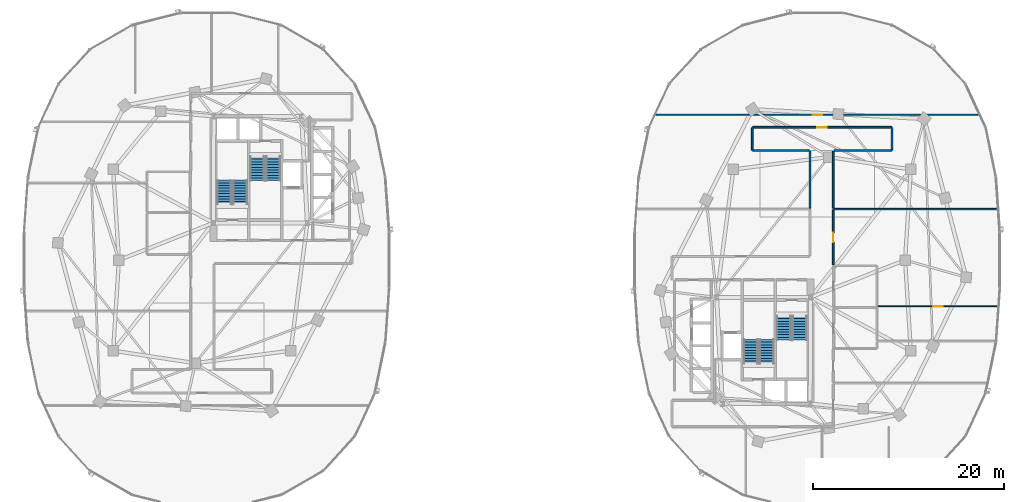
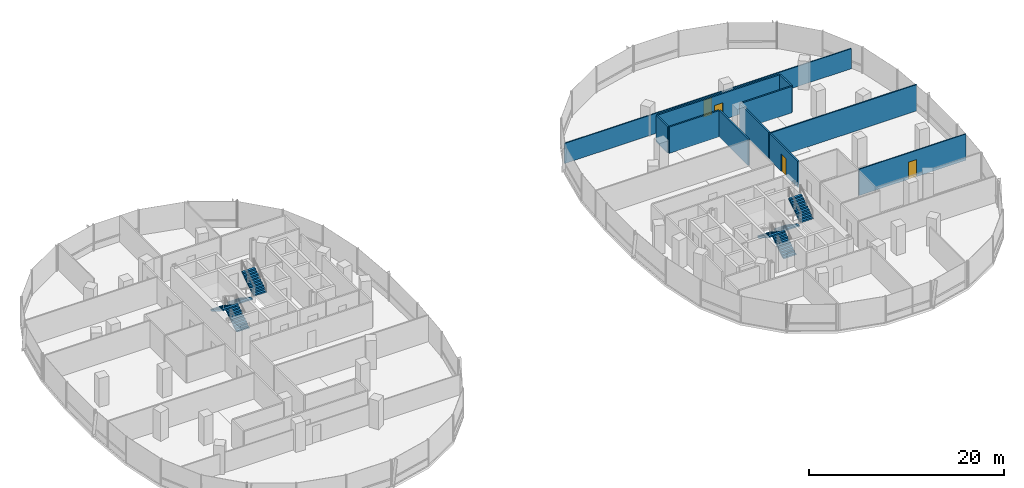
# One storey, part 14 of 21: 11 walls, 8 stair flights, 4 doors, 4 openings, 4 elements without a shape of their own.
"""IFC4 building model written with IfcOpenShell, lengths in metres."""

import ifcopenshell
import ifcopenshell.guid

model = None  # the IFC model being written
_history = None  # IfcOwnerHistory: only IFC2X3 demands one
_inside = {}  # id of a spatial element -> (the spatial element, [elements in it])
_under = {}  # id of a project, library or spatial element -> (it, [spatial elements below it])
_declared = {}  # id of a project -> (the project, [libraries it declares])
_typed = {}  # id of a type object -> (the type object, [elements of that type])
_made_of = {}  # id of a material, layer set ... -> (it, [elements and type objects made of it])


def new_model(schema):
    """Start an empty IFC model of exactly this schema.

    Asked for "IFC4X3", IfcOpenShell would pick the latest addendum, in which some entities
    have other attributes; the version numbers below select the first issue.
    IFC2X3 requires an IfcOwnerHistory on every rooted entity: one is made here for all.
    """
    global model, _history
    if schema == "IFC4X3":
        model = ifcopenshell.file(schema_version=(4, 3, 0, 0))
    else:
        model = ifcopenshell.file(schema=schema)
    _inside.clear()
    _under.clear()
    _declared.clear()
    _typed.clear()
    _made_of.clear()
    _history = None
    if model.schema == "IFC2X3":
        org = make("IfcOrganization", Name="unknown")
        user = make(
            "IfcPersonAndOrganization",
            ThePerson=make("IfcPerson", FamilyName="unknown"),
            TheOrganization=org,
        )
        app = make(
            "IfcApplication",
            ApplicationDeveloper=org,
            Version="unknown",
            ApplicationFullName="unknown",
            ApplicationIdentifier="unknown",
        )
        _history = make(
            "IfcOwnerHistory",
            OwningUser=user,
            OwningApplication=app,
            ChangeAction="ADDED",
            CreationDate=0,
        )
    return model


def make(cls, **values):
    """One entity of the class cls with the attributes given. An attribute that is None is left unset."""
    return model.create_entity(
        cls, **{name: value for name, value in values.items() if value is not None}
    )


def rooted(cls, **values):
    """An entity with a GlobalId (a new one), such as an element, a storey or a relation."""
    return make(cls, GlobalId=ifcopenshell.guid.new(), OwnerHistory=_history, **values)


def si_unit(unit_type, name, prefix=None):
    """IfcSIUnit, for example si_unit("LENGTHUNIT", "METRE", prefix="MILLI")."""
    return make("IfcSIUnit", UnitType=unit_type, Prefix=prefix, Name=name)


def assignment(units):
    """IfcUnitAssignment: the units of a project."""
    return None if units is None else make("IfcUnitAssignment", Units=units)


def point(xyz):
    """IfcCartesianPoint."""
    return None if xyz is None else make("IfcCartesianPoint", Coordinates=xyz)


def direction(xyz):
    """IfcDirection."""
    return None if xyz is None else make("IfcDirection", DirectionRatios=xyz)


def frame(location, z_axis=None, x_axis=None):
    """IfcAxis2Placement3D, a coordinate frame: its origin and axes. An axis left out is left unset."""
    return make(
        "IfcAxis2Placement3D",
        Location=point(location),
        Axis=direction(z_axis),
        RefDirection=direction(x_axis),
    )


def frame_2d(location, x_axis=None):
    """IfcAxis2Placement2D, a coordinate frame in the plane: its origin and x axis."""
    return make(
        "IfcAxis2Placement2D", Location=point(location), RefDirection=direction(x_axis)
    )


def origin():
    """The frame at (0, 0, 0) with its axes left unset."""
    return frame((0.0, 0.0, 0.0))


def place(relative_to, where):
    """IfcLocalPlacement: puts the frame where relative to a parent placement (None: the world)."""
    return make(
        "IfcLocalPlacement", PlacementRelTo=relative_to, RelativePlacement=where
    )


def context(
    kind, dimensions, precision=None, world=None, true_north=None, identifier=None
):
    """IfcGeometricRepresentationContext, for example the 3D "Model" context."""
    return make(
        "IfcGeometricRepresentationContext",
        ContextIdentifier=identifier,
        ContextType=kind,
        CoordinateSpaceDimension=dimensions,
        Precision=precision,
        WorldCoordinateSystem=world,
        TrueNorth=true_north,
    )


def subcontext(parent, identifier, kind, view, scale=None):
    """IfcGeometricRepresentationSubContext, for example "Body" below "Model"."""
    return make(
        "IfcGeometricRepresentationSubContext",
        ContextIdentifier=identifier,
        ContextType=kind,
        ParentContext=parent,
        TargetScale=scale,
        TargetView=view,
    )


def project(units=None, contexts=None):
    """IfcProject with its units and contexts."""
    return rooted(
        "IfcProject",
        Name="project",
        RepresentationContexts=contexts,
        UnitsInContext=assignment(units),
    )


def spatial(cls, under=None, at=None, **own):
    """A site, building, storey or space (cls), placed at a placement, below another one or the project."""
    s = rooted(cls, ObjectPlacement=at, **own)
    if under is not None:
        _under.setdefault(under.id(), (under, []))[1].append(s)
    return s


def polyline(points):
    """IfcPolyline through the points."""
    return make("IfcPolyline", Points=[point(p) for p in points])


def profile(cls, at=None, kind="AREA", **sizes):
    """A parametric profile (cls). Its sizes go by their IFC names, for example OverallWidth=200.0."""
    return make(cls, ProfileType=kind, Position=at, **sizes)


def rectangle(**sizes):
    """IfcRectangleProfileDef."""
    return profile("IfcRectangleProfileDef", **sizes)


def outline(outer, holes=None, kind="AREA"):
    """IfcArbitraryClosedProfileDef: a profile drawn as a closed curve; with holes, ...WithVoids."""
    if holes is None:
        return make("IfcArbitraryClosedProfileDef", ProfileType=kind, OuterCurve=outer)
    return make(
        "IfcArbitraryProfileDefWithVoids",
        ProfileType=kind,
        OuterCurve=outer,
        InnerCurves=holes,
    )


def extrude(swept, where, along, depth):
    """IfcExtrudedAreaSolid: the profile swept, set in the frame where, extruded along a direction by depth."""
    return make(
        "IfcExtrudedAreaSolid",
        SweptArea=swept,
        Position=where,
        ExtrudedDirection=direction(along),
        Depth=depth,
    )


def shape(context_of_items, identifier, shape_type, items):
    """IfcShapeRepresentation: the items that make up one representation, for example the "Body"."""
    return make(
        "IfcShapeRepresentation",
        ContextOfItems=context_of_items,
        RepresentationIdentifier=identifier,
        RepresentationType=shape_type,
        Items=items,
    )


def material(Name=None, Category=None):
    """IfcMaterial."""
    return make("IfcMaterial", Name=Name, Category=Category)


def layer(
    of_material, thickness, ventilated=None, Name=None, Category=None, Priority=None
):
    """IfcMaterialLayer: one layer of a wall or slab, of a material (None: an air gap)."""
    return make(
        "IfcMaterialLayer",
        Material=of_material,
        LayerThickness=thickness,
        IsVentilated=ventilated,
        Name=Name,
        Category=Category,
        Priority=Priority,
    )


def layer_set(layers, Name=None):
    """IfcMaterialLayerSet."""
    return make("IfcMaterialLayerSet", MaterialLayers=layers, LayerSetName=Name)


def made_of(thing, what):
    """Note that an element or type object is made of a material, layer set ...; save() writes the relation."""
    if what is not None:
        _made_of.setdefault(what.id(), (what, []))[1].append(thing)
    return thing


def type_object(cls, material=None, **own):
    """A type object (cls), such as IfcWallType, which elements share."""
    return made_of(rooted(cls, **own), material)


def element(
    cls,
    number,
    at=None,
    inside=None,
    cuts=None,
    type_object=None,
    material=None,
    context=None,
    identifier="Body",
    shape_type=None,
    held_by="IfcProductDefinitionShape",
    body=None,
    shapes=None,
    **own,
):
    """One element of the class cls, such as IfcWall. Its Tag is "e" and its number.

    at: its placement. inside: the storey or other place that contains it. cuts: it is an
    opening in that element (IfcRelVoidsElement). A single representation is given by context,
    identifier, shape_type and body (its items); several are given by shapes. held_by: the class
    of the entity that holds the representations. save() writes the other relations.
    """
    e = rooted(cls, Tag="e%d" % number, ObjectPlacement=at, **own)
    if body is not None:
        shapes = [shape(context, identifier, shape_type, body)]
    if shapes is not None:
        e.Representation = make(held_by, Representations=shapes)
    if inside is not None:
        _inside.setdefault(inside.id(), (inside, []))[1].append(e)
    if cuts is not None:
        rooted(
            "IfcRelVoidsElement", RelatingBuildingElement=cuts, RelatedOpeningElement=e
        )
    if type_object is not None:
        _typed.setdefault(type_object.id(), (type_object, []))[1].append(e)
    return made_of(e, material)


def fill(opening, filler):
    """IfcRelFillsElement: the door or window that sits in an opening."""
    return rooted(
        "IfcRelFillsElement",
        RelatingOpeningElement=opening,
        RelatedBuildingElement=filler,
    )


def aggregate(whole, parts):
    """IfcRelAggregates: a whole, such as a stair, and the parts it consists of."""
    return rooted("IfcRelAggregates", RelatingObject=whole, RelatedObjects=parts)


def save(model, path):
    """Write the relations noted so far, then the file.

    IfcRelAggregates (storeys below a building ...), IfcRelContainedInSpatialStructure (elements
    in a storey), IfcRelDefinesByType, IfcRelAssociatesMaterial and IfcRelDeclares: one each for
    every whole, place, type object, material and project.
    """
    for whole, parts in _under.values():
        aggregate(whole, parts)
    for where, things in _inside.values():
        rooted(
            "IfcRelContainedInSpatialStructure",
            RelatedElements=things,
            RelatingStructure=where,
        )
    for kind, things in _typed.values():
        rooted("IfcRelDefinesByType", RelatedObjects=things, RelatingType=kind)
    for what, things in _made_of.values():
        rooted("IfcRelAssociatesMaterial", RelatedObjects=things, RelatingMaterial=what)
    for by, libraries in _declared.values():
        rooted("IfcRelDeclares", RelatingContext=by, RelatedDefinitions=libraries)
    model.write(path)


model = new_model("IFC4")

# Units and contexts
model_context = context("Model", 3, precision=1e-05, world=origin(), true_north=direction((0.0, 1.0)))
body_context = subcontext(model_context, "Body", "Model", "MODEL_VIEW")
ifc_project = project(units=[si_unit("LENGTHUNIT", "METRE"), si_unit("AREAUNIT", "SQUARE_METRE"), si_unit("VOLUMEUNIT", "CUBIC_METRE"), si_unit("PLANEANGLEUNIT", "RADIAN"), si_unit("MASSUNIT", "GRAM", prefix="KILO"), si_unit("THERMODYNAMICTEMPERATUREUNIT", "KELVIN"), si_unit("POWERUNIT", "WATT")], contexts=[model_context])

# Site, building, storey
site_placement = place(None, origin())
site = spatial("IfcSite", under=ifc_project, at=site_placement, CompositionType="ELEMENT")
building_placement = place(site_placement, origin())
building = spatial("IfcBuilding", under=site, at=building_placement, Name="Cundina Bronze Exchange", CompositionType="ELEMENT")
storey_placement = place(building_placement, frame((0.0, 0.0, 114.199951171875)))
storey = spatial("IfcBuildingStorey", under=building, at=storey_placement, Name="L29", CompositionType="ELEMENT", Elevation=114.199951171875)

# Wall, opening, door
ifc_material_1 = material(Name="Gypsum Fireboard Partition EI120")
ifc_layer_1 = layer(ifc_material_1, 0.179931640625, Name="Gypsum Fireboard Partition EI120")
ifc_layer_set_1 = layer_set([ifc_layer_1], Name="Gypsum Fireboard Partition EI120")
wall_type_1 = type_object("IfcWallType", Name="WL-COR-180", PredefinedType="PARTITIONING", material=ifc_layer_set_1)
wall_1_placement = place(storey_placement, frame((33.669921875, -0.508544921875, 0.0), z_axis=(0.0, 0.0, 1.0), x_axis=(0.0, 1.0, 0.0)))
wall_1 = element("IfcWall", 1, at=wall_1_placement, inside=storey, type_object=wall_type_1, Name="L29 Interior Partition 070", PredefinedType="PARTITIONING", context=body_context, shape_type="SweptSolid", body=[
    extrude(rectangle(XDim=5.7685546875, YDim=0.179931640625, at=frame_2d((2.88427734375, 0.0))), origin(), (0.0, 0.0, 1.0), 3.300048828125),
])
opening_1_placement = place(wall_1_placement, frame((2.38427734375, 0.0, 0.0)))
opening_1 = element("IfcOpeningElement", 2, at=opening_1_placement, cuts=wall_1, Name="Opening DO-01", PredefinedType="OPENING", context=body_context, shape_type="SweptSolid", body=[
    extrude(rectangle(XDim=1.0, YDim=2.14990234375, at=frame_2d((0.5, 1.074951171875))), frame((0.0, 0.099853515625, 0.0), z_axis=(0.0, -1.0, 0.0), x_axis=(1.0, 0.0, 0.0)), (0.0, 0.0, 1.0), 0.199951171875),
])
ifc_material_2 = material(Name="Solid Andean Oak Timber Grade A", Category="wood")
door_type = type_object("IfcDoorType", Name="DR-OFF-1000", OperationType="NOTDEFINED", PredefinedType="DOOR", material=ifc_material_2)
door_1_placement = place(opening_1_placement, origin())
door_1 = element("IfcDoor", 3, at=door_1_placement, inside=storey, type_object=door_type, Name="L29 Interior Door 070", OperationType="SINGLE_SWING_RIGHT", OverallHeight=2.14990234375, OverallWidth=1.0, PredefinedType="DOOR", context=body_context, shape_type="SweptSolid", body=[
    extrude(rectangle(XDim=1.0, YDim=2.14990234375, at=frame_2d((0.5, 1.074951171875))), frame((0.0, 0.02490234375, 0.0), z_axis=(0.0, -1.0, 0.0), x_axis=(1.0, 0.0, 0.0)), (0.0, 0.0, 1.0), 0.050048828125),
])
fill(opening_1, door_1)

wall_2_placement = place(storey_placement, frame((39.778564453125, 13.919921875, 0.0), z_axis=(0.0, 0.0, 1.0), x_axis=(-1.0, 0.0, 0.0)))
wall_2 = element("IfcWall", 4, at=wall_2_placement, inside=storey, type_object=wall_type_1, Name="L29 Interior Partition 071", PredefinedType="PARTITIONING", context=body_context, shape_type="SweptSolid", body=[
    extrude(rectangle(XDim=14.55712890625, YDim=0.179931640625, at=frame_2d((7.278564453125, 0.0))), origin(), (0.0, 0.0, 1.0), 3.300048828125),
])
opening_2_placement = place(wall_2_placement, frame((6.778564453125, 0.0, 0.0)))
opening_2 = element("IfcOpeningElement", 5, at=opening_2_placement, cuts=wall_2, Name="Opening DO-01", PredefinedType="OPENING", context=body_context, shape_type="SweptSolid", body=[
    extrude(rectangle(XDim=1.0, YDim=2.14990234375, at=frame_2d((0.5, 1.074951171875))), frame((0.0, 0.099853515625, 0.0), z_axis=(0.0, -1.0, 0.0), x_axis=(1.0, 0.0, 0.0)), (0.0, 0.0, 1.0), 0.199951171875),
])
door_2_placement = place(opening_2_placement, origin())
door_2 = element("IfcDoor", 6, at=door_2_placement, inside=storey, type_object=door_type, Name="L29 Interior Door 071", OperationType="SINGLE_SWING_LEFT", OverallHeight=2.14990234375, OverallWidth=1.0, PredefinedType="DOOR", context=body_context, shape_type="SweptSolid", body=[
    extrude(rectangle(XDim=1.0, YDim=2.14990234375, at=frame_2d((0.5, 1.074951171875))), frame((0.0, 0.02490234375, 0.0), z_axis=(0.0, -1.0, 0.0), x_axis=(1.0, 0.0, 0.0)), (0.0, 0.0, 1.0), 0.050048828125),
])
fill(opening_2, door_2)

# Walls
wall_3_placement = place(storey_placement, frame((33.75, 11.47998046875, 0.0), z_axis=(0.0, 0.0, 1.0), x_axis=(1.0, 0.0, 0.0)))
element("IfcWall", 7, at=wall_3_placement, inside=storey, type_object=wall_type_1, Name="L29 Interior Partition 072", PredefinedType="PARTITIONING", context=body_context, shape_type="SweptSolid", body=[
    extrude(rectangle(XDim=6.028564453125, YDim=0.179931640625, at=frame_2d((3.01416015625, 0.0))), origin(), (0.0, 0.0, 1.0), 3.300048828125),
])
for number, where, z_axis, x_axis, name in (
    (8, (33.669921875, 5.43994140625, 0.0), (0.0, 0.0, 1.0), (0.0, 1.0, 0.0), "L29 Interior Partition 073"),
    (9, (31.22998046875, 11.39990234375, 0.0), (0.0, 0.0, 1.0), (0.0, -1.0, 0.0), "L29 Interior Partition 074"),
):
    element("IfcWall", number, at=place(storey_placement, frame(where, z_axis=z_axis, x_axis=x_axis)), inside=storey, type_object=wall_type_1, Name=name, PredefinedType="PARTITIONING", context=body_context, shape_type="SweptSolid", body=[
        extrude(rectangle(XDim=5.9599609375, YDim=0.179931640625, at=frame_2d((2.97998046875, 0.0))), origin(), (0.0, 0.0, 1.0), 3.300048828125),
    ])
wall_4_placement = place(storey_placement, frame((25.221435546875, 11.47998046875, 0.0), z_axis=(0.0, 0.0, 1.0), x_axis=(1.0, 0.0, 0.0)))
element("IfcWall", 10, at=wall_4_placement, inside=storey, type_object=wall_type_1, Name="L29 Interior Partition 075", PredefinedType="PARTITIONING", context=body_context, shape_type="SweptSolid", body=[
    extrude(rectangle(XDim=5.928466796875, YDim=0.179931640625, at=frame_2d((2.96435546875, 0.0))), origin(), (0.0, 0.0, 1.0), 3.300048828125),
])
for number, where, z_axis, x_axis, name in (
    (11, (39.820068359375, 11.521484375, 0.0), (0.0, 0.0, 1.0), (0.0, 1.0, 0.0), "L29 Interior Partition 076"),
    (12, (25.179931640625, 13.87841796875, 0.0), (0.0, 0.0, 1.0), (0.0, -1.0, 0.0), "L29 Interior Partition 077"),
):
    element("IfcWall", number, at=place(storey_placement, frame(where, z_axis=z_axis, x_axis=x_axis)), inside=storey, type_object=wall_type_1, Name=name, PredefinedType="PARTITIONING", context=body_context, shape_type="SweptSolid", body=[
        extrude(rectangle(XDim=2.35693359375, YDim=0.179931640625, at=frame_2d((1.178466796875, 0.0))), origin(), (0.0, 0.0, 1.0), 3.300048828125),
    ])

# Wall, opening, door
ifc_material_3 = material(Name="Gypsum Acoustic Partition EI60")
ifc_layer_2 = layer(ifc_material_3, 0.125, Name="Gypsum Acoustic Partition EI60")
ifc_layer_set_2 = layer_set([ifc_layer_2], Name="Gypsum Acoustic Partition EI60")
wall_type_2 = type_object("IfcWallType", Name="WL-OFF-125", PredefinedType="PARTITIONING", material=ifc_layer_set_2)
wall_5_placement = place(storey_placement, frame((38.29150390625, -4.85009765625, 0.0), z_axis=(0.0, 0.0, 1.0), x_axis=(1.0, 0.0, 0.0)))
wall_5 = element("IfcWall", 13, at=wall_5_placement, inside=storey, type_object=wall_type_2, Name="L29 Interior Partition 078", PredefinedType="PARTITIONING", context=body_context, shape_type="SweptSolid", body=[
    extrude(rectangle(XDim=12.722900390625, YDim=0.125, at=frame_2d((6.361328125, 0.0))), origin(), (0.0, 0.0, 1.0), 3.300048828125),
])
opening_3_placement = place(wall_5_placement, frame((5.861328125, 0.0, 0.0)))
opening_3 = element("IfcOpeningElement", 14, at=opening_3_placement, cuts=wall_5, Name="Opening DO-01", PredefinedType="OPENING", context=body_context, shape_type="SweptSolid", body=[
    extrude(rectangle(XDim=1.0, YDim=2.14990234375, at=frame_2d((0.5, 1.074951171875))), frame((0.0, 0.072509765625, 0.0), z_axis=(0.0, -1.0, 0.0), x_axis=(1.0, 0.0, 0.0)), (0.0, 0.0, 1.0), 0.14501953125),
])
door_3_placement = place(opening_3_placement, origin())
door_3 = element("IfcDoor", 15, at=door_3_placement, inside=storey, type_object=door_type, Name="L29 Interior Door 078", OperationType="SINGLE_SWING_RIGHT", OverallHeight=2.14990234375, OverallWidth=1.0, PredefinedType="DOOR", context=body_context, shape_type="SweptSolid", body=[
    extrude(rectangle(XDim=1.0, YDim=2.14990234375, at=frame_2d((0.5, 1.074951171875))), frame((0.0, 0.02490234375, 0.0), z_axis=(0.0, -1.0, 0.0), x_axis=(1.0, 0.0, 0.0)), (0.0, 0.0, 1.0), 0.050048828125),
])
fill(opening_3, door_3)

wall_6_placement = place(storey_placement, frame((49.005126953125, 15.22998046875, 0.0), z_axis=(0.0, 0.0, 1.0), x_axis=(-1.0, 0.0, 0.0)))
wall_6 = element("IfcWall", 16, at=wall_6_placement, inside=storey, type_object=wall_type_2, Name="L29 Interior Partition 079", PredefinedType="PARTITIONING", context=body_context, shape_type="SweptSolid", body=[
    extrude(rectangle(XDim=34.01025390625, YDim=0.125, at=frame_2d((17.005126953125, 0.0))), origin(), (0.0, 0.0, 1.0), 2.527099609375),
])
opening_4_placement = place(wall_6_placement, frame((16.505126953125, 0.0, 0.0)))
opening_4 = element("IfcOpeningElement", 17, at=opening_4_placement, cuts=wall_6, Name="Opening DO-01", PredefinedType="OPENING", context=body_context, shape_type="SweptSolid", body=[
    extrude(rectangle(XDim=1.0, YDim=2.14990234375, at=frame_2d((0.5, 1.074951171875))), frame((0.0, 0.072509765625, 0.0), z_axis=(0.0, -1.0, 0.0), x_axis=(1.0, 0.0, 0.0)), (0.0, 0.0, 1.0), 0.14501953125),
])
door_4_placement = place(opening_4_placement, origin())
door_4 = element("IfcDoor", 18, at=door_4_placement, inside=storey, type_object=door_type, Name="L29 Interior Door 079", OperationType="SINGLE_SWING_LEFT", OverallHeight=2.14990234375, OverallWidth=1.0, PredefinedType="DOOR", context=body_context, shape_type="SweptSolid", body=[
    extrude(rectangle(XDim=1.0, YDim=2.14990234375, at=frame_2d((0.5, 1.074951171875))), frame((0.0, 0.02490234375, 0.0), z_axis=(0.0, -1.0, 0.0), x_axis=(1.0, 0.0, 0.0)), (0.0, 0.0, 1.0), 0.050048828125),
])
fill(opening_4, door_4)

# Wall
ifc_layer_3 = layer(ifc_material_3, 0.14990234375, Name="Gypsum Acoustic Partition EI60")
ifc_layer_set_3 = layer_set([ifc_layer_3], Name="Gypsum Acoustic Partition EI60")
wall_type_3 = type_object("IfcWallType", Name="WL-TEN-150", PredefinedType="PARTITIONING", material=ifc_layer_set_3)
wall_7_placement = place(storey_placement, frame((33.699951171875, 5.35009765625, 0.0), z_axis=(0.0, 0.0, 1.0), x_axis=(1.0, 0.0, 0.0)))
element("IfcWall", 19, at=wall_7_placement, inside=storey, type_object=wall_type_3, Name="L29 Interior Partition 054", PredefinedType="PARTITIONING", context=body_context, shape_type="SweptSolid", body=[
    extrude(rectangle(XDim=17.337646484375, YDim=0.14990234375, at=frame_2d((8.6689453125, 0.0))), origin(), (0.0, 0.0, 1.0), 3.300048828125),
])

# Stair, stair flights
ifc_material_4 = material(Name="Concrete C40/50", Category="concrete")
stair_type = type_object("IfcStairType", Name="STR-OFF-360", PredefinedType="HALF_TURN_STAIR", material=ifc_material_4)
stair_1_placement = place(storey_placement, origin())
stair_1 = element("IfcStair", 20, at=stair_1_placement, inside=storey, type_object=stair_type, Name="L29 Smokeproof Exit Stair W1", PredefinedType="HALF_TURN_STAIR")
stair_flight_type = type_object("IfcStairFlightType", Name="FLG-OFF-180", PredefinedType="STRAIGHT", material=ifc_material_4)
stair_flight_1_placement = place(storey_placement, frame((-28.489990234375, 5.85009765625, 0.0), z_axis=(0.0, 0.0, 1.0), x_axis=(0.0, 1.0, 0.0)))
stair_flight_1 = element("IfcStairFlight", 21, at=stair_flight_1_placement, type_object=stair_flight_type, Name="ST-W1 flight 1", NumberOfRisers=10, NumberOfTreads=9, PredefinedType="STRAIGHT", RiserHeight=0.18, TreadLength=0.28, context=body_context, shape_type="SweptSolid", body=[
    extrude(outline(polyline([(0.0, 0.0), (0.0, 0.179931640625), (0.280029296875, 0.179931640625), (0.280029296875, 0.360107421875), (0.56005859375, 0.360107421875), (0.56005859375, 0.5400390625), (0.840087890625, 0.5400390625), (0.840087890625, 0.719970703125), (1.1201171875, 0.719970703125), (1.1201171875, 0.89990234375), (1.39990234375, 0.89990234375), (1.39990234375, 1.080078125), (1.679931640625, 1.080078125), (1.679931640625, 1.260009765625), (1.9599609375, 1.260009765625), (1.9599609375, 1.43994140625), (2.239990234375, 1.43994140625), (2.239990234375, 1.6201171875), (2.52001953125, 1.6201171875), (2.52001953125, 1.800048828125), (2.52001953125, 1.44189453125), (0.277099609375, 0.0), (0.0, 0.0)])), frame((0.0, 0.75, 0.0), z_axis=(0.0, -1.0, 0.0), x_axis=(1.0, 0.0, 0.0)), (0.0, 0.0, 1.0), 1.5),
])
stair_flight_2_placement = place(storey_placement, frame((-30.14990234375, 8.3701171875, 1.800048828125), z_axis=(0.0, 0.0, 1.0), x_axis=(0.0, -1.0, 0.0)))
stair_flight_2 = element("IfcStairFlight", 22, at=stair_flight_2_placement, type_object=stair_flight_type, Name="ST-W1 flight 2", NumberOfRisers=10, NumberOfTreads=9, PredefinedType="STRAIGHT", RiserHeight=0.18, TreadLength=0.28, context=body_context, shape_type="SweptSolid", body=[
    extrude(outline(polyline([(0.0, 0.0), (0.0, 0.179931640625), (0.280029296875, 0.179931640625), (0.280029296875, 0.360107421875), (0.56005859375, 0.360107421875), (0.56005859375, 0.5400390625), (0.840087890625, 0.5400390625), (0.840087890625, 0.719970703125), (1.1201171875, 0.719970703125), (1.1201171875, 0.89990234375), (1.39990234375, 0.89990234375), (1.39990234375, 1.080078125), (1.679931640625, 1.080078125), (1.679931640625, 1.260009765625), (1.9599609375, 1.260009765625), (1.9599609375, 1.43994140625), (2.239990234375, 1.43994140625), (2.239990234375, 1.6201171875), (2.52001953125, 1.6201171875), (2.52001953125, 1.800048828125), (2.52001953125, 1.44189453125), (0.277099609375, 0.0), (0.0, 0.0)])), frame((0.0, 0.75, 0.0), z_axis=(0.0, -1.0, 0.0), x_axis=(1.0, 0.0, 0.0)), (0.0, 0.0, 1.0), 1.5),
])
aggregate(stair_1, [stair_flight_1, stair_flight_2])

stair_2_placement = place(storey_placement, origin())
stair_2 = element("IfcStair", 23, at=stair_2_placement, inside=storey, type_object=stair_type, Name="L29 Smokeproof Exit Stair W2", PredefinedType="HALF_TURN_STAIR")
stair_flight_3_placement = place(storey_placement, frame((-26.68994140625, 10.85009765625, 0.0), z_axis=(0.0, 0.0, 1.0), x_axis=(0.0, -1.0, 0.0)))
stair_flight_3 = element("IfcStairFlight", 24, at=stair_flight_3_placement, type_object=stair_flight_type, Name="ST-W2 flight 1", NumberOfRisers=10, NumberOfTreads=9, PredefinedType="STRAIGHT", RiserHeight=0.18, TreadLength=0.28, context=body_context, shape_type="SweptSolid", body=[
    extrude(outline(polyline([(0.0, 0.0), (0.0, 0.179931640625), (0.280029296875, 0.179931640625), (0.280029296875, 0.360107421875), (0.56005859375, 0.360107421875), (0.56005859375, 0.5400390625), (0.840087890625, 0.5400390625), (0.840087890625, 0.719970703125), (1.1201171875, 0.719970703125), (1.1201171875, 0.89990234375), (1.39990234375, 0.89990234375), (1.39990234375, 1.080078125), (1.679931640625, 1.080078125), (1.679931640625, 1.260009765625), (1.9599609375, 1.260009765625), (1.9599609375, 1.43994140625), (2.239990234375, 1.43994140625), (2.239990234375, 1.6201171875), (2.52001953125, 1.6201171875), (2.52001953125, 1.800048828125), (2.52001953125, 1.44189453125), (0.277099609375, 0.0), (0.0, 0.0)])), frame((0.0, 0.75, 0.0), z_axis=(0.0, -1.0, 0.0), x_axis=(1.0, 0.0, 0.0)), (0.0, 0.0, 1.0), 1.5),
])
stair_flight_4_placement = place(storey_placement, frame((-25.030029296875, 8.330078125, 1.800048828125), z_axis=(0.0, 0.0, 1.0), x_axis=(0.0, 1.0, 0.0)))
stair_flight_4 = element("IfcStairFlight", 25, at=stair_flight_4_placement, type_object=stair_flight_type, Name="ST-W2 flight 2", NumberOfRisers=10, NumberOfTreads=9, PredefinedType="STRAIGHT", RiserHeight=0.18, TreadLength=0.28, context=body_context, shape_type="SweptSolid", body=[
    extrude(outline(polyline([(0.0, 0.0), (0.0, 0.179931640625), (0.280029296875, 0.179931640625), (0.280029296875, 0.360107421875), (0.56005859375, 0.360107421875), (0.56005859375, 0.5400390625), (0.840087890625, 0.5400390625), (0.840087890625, 0.719970703125), (1.1201171875, 0.719970703125), (1.1201171875, 0.89990234375), (1.39990234375, 0.89990234375), (1.39990234375, 1.080078125), (1.679931640625, 1.080078125), (1.679931640625, 1.260009765625), (1.9599609375, 1.260009765625), (1.9599609375, 1.43994140625), (2.239990234375, 1.43994140625), (2.239990234375, 1.6201171875), (2.52001953125, 1.6201171875), (2.52001953125, 1.800048828125), (2.52001953125, 1.44189453125), (0.277099609375, 0.0), (0.0, 0.0)])), frame((0.0, 0.75, 0.0), z_axis=(0.0, -1.0, 0.0), x_axis=(1.0, 0.0, 0.0)), (0.0, 0.0, 1.0), 1.5),
])
aggregate(stair_2, [stair_flight_3, stair_flight_4])

stair_3_placement = place(storey_placement, origin())
stair_3 = element("IfcStair", 26, at=stair_3_placement, inside=storey, type_object=stair_type, Name="L29 Smokeproof Exit Stair E1", PredefinedType="HALF_TURN_STAIR")
stair_flight_5_placement = place(storey_placement, frame((28.489990234375, -5.85009765625, 0.0), z_axis=(0.0, 0.0, 1.0), x_axis=(0.0, -1.0, 0.0)))
stair_flight_5 = element("IfcStairFlight", 27, at=stair_flight_5_placement, type_object=stair_flight_type, Name="ST-E1 flight 1", NumberOfRisers=10, NumberOfTreads=9, PredefinedType="STRAIGHT", RiserHeight=0.18, TreadLength=0.28, context=body_context, shape_type="SweptSolid", body=[
    extrude(outline(polyline([(0.0, 0.0), (0.0, 0.179931640625), (0.280029296875, 0.179931640625), (0.280029296875, 0.360107421875), (0.56005859375, 0.360107421875), (0.56005859375, 0.5400390625), (0.840087890625, 0.5400390625), (0.840087890625, 0.719970703125), (1.1201171875, 0.719970703125), (1.1201171875, 0.89990234375), (1.39990234375, 0.89990234375), (1.39990234375, 1.080078125), (1.679931640625, 1.080078125), (1.679931640625, 1.260009765625), (1.9599609375, 1.260009765625), (1.9599609375, 1.43994140625), (2.239990234375, 1.43994140625), (2.239990234375, 1.6201171875), (2.52001953125, 1.6201171875), (2.52001953125, 1.800048828125), (2.52001953125, 1.44189453125), (0.277099609375, 0.0), (0.0, 0.0)])), frame((0.0, 0.75, 0.0), z_axis=(0.0, -1.0, 0.0), x_axis=(1.0, 0.0, 0.0)), (0.0, 0.0, 1.0), 1.5),
])
stair_flight_6_placement = place(storey_placement, frame((30.14990234375, -8.3701171875, 1.800048828125), z_axis=(0.0, 0.0, 1.0), x_axis=(0.0, 1.0, 0.0)))
stair_flight_6 = element("IfcStairFlight", 28, at=stair_flight_6_placement, type_object=stair_flight_type, Name="ST-E1 flight 2", NumberOfRisers=10, NumberOfTreads=9, PredefinedType="STRAIGHT", RiserHeight=0.18, TreadLength=0.28, context=body_context, shape_type="SweptSolid", body=[
    extrude(outline(polyline([(0.0, 0.0), (0.0, 0.179931640625), (0.280029296875, 0.179931640625), (0.280029296875, 0.360107421875), (0.56005859375, 0.360107421875), (0.56005859375, 0.5400390625), (0.840087890625, 0.5400390625), (0.840087890625, 0.719970703125), (1.1201171875, 0.719970703125), (1.1201171875, 0.89990234375), (1.39990234375, 0.89990234375), (1.39990234375, 1.080078125), (1.679931640625, 1.080078125), (1.679931640625, 1.260009765625), (1.9599609375, 1.260009765625), (1.9599609375, 1.43994140625), (2.239990234375, 1.43994140625), (2.239990234375, 1.6201171875), (2.52001953125, 1.6201171875), (2.52001953125, 1.800048828125), (2.52001953125, 1.44189453125), (0.277099609375, 0.0), (0.0, 0.0)])), frame((0.0, 0.75, 0.0), z_axis=(0.0, -1.0, 0.0), x_axis=(1.0, 0.0, 0.0)), (0.0, 0.0, 1.0), 1.5),
])
aggregate(stair_3, [stair_flight_5, stair_flight_6])

stair_4_placement = place(storey_placement, origin())
stair_4 = element("IfcStair", 29, at=stair_4_placement, inside=storey, type_object=stair_type, Name="L29 Smokeproof Exit Stair E2", PredefinedType="HALF_TURN_STAIR")
stair_flight_7_placement = place(storey_placement, frame((26.68994140625, -10.85009765625, 0.0), z_axis=(0.0, 0.0, 1.0), x_axis=(0.0, 1.0, 0.0)))
stair_flight_7 = element("IfcStairFlight", 30, at=stair_flight_7_placement, type_object=stair_flight_type, Name="ST-E2 flight 1", NumberOfRisers=10, NumberOfTreads=9, PredefinedType="STRAIGHT", RiserHeight=0.18, TreadLength=0.28, context=body_context, shape_type="SweptSolid", body=[
    extrude(outline(polyline([(0.0, 0.0), (0.0, 0.179931640625), (0.280029296875, 0.179931640625), (0.280029296875, 0.360107421875), (0.56005859375, 0.360107421875), (0.56005859375, 0.5400390625), (0.840087890625, 0.5400390625), (0.840087890625, 0.719970703125), (1.1201171875, 0.719970703125), (1.1201171875, 0.89990234375), (1.39990234375, 0.89990234375), (1.39990234375, 1.080078125), (1.679931640625, 1.080078125), (1.679931640625, 1.260009765625), (1.9599609375, 1.260009765625), (1.9599609375, 1.43994140625), (2.239990234375, 1.43994140625), (2.239990234375, 1.6201171875), (2.52001953125, 1.6201171875), (2.52001953125, 1.800048828125), (2.52001953125, 1.44189453125), (0.277099609375, 0.0), (0.0, 0.0)])), frame((0.0, 0.75, 0.0), z_axis=(0.0, -1.0, 0.0), x_axis=(1.0, 0.0, 0.0)), (0.0, 0.0, 1.0), 1.5),
])
stair_flight_8_placement = place(storey_placement, frame((25.030029296875, -8.330078125, 1.800048828125), z_axis=(0.0, 0.0, 1.0), x_axis=(0.0, -1.0, 0.0)))
stair_flight_8 = element("IfcStairFlight", 31, at=stair_flight_8_placement, type_object=stair_flight_type, Name="ST-E2 flight 2", NumberOfRisers=10, NumberOfTreads=9, PredefinedType="STRAIGHT", RiserHeight=0.18, TreadLength=0.28, context=body_context, shape_type="SweptSolid", body=[
    extrude(outline(polyline([(0.0, 0.0), (0.0, 0.179931640625), (0.280029296875, 0.179931640625), (0.280029296875, 0.360107421875), (0.56005859375, 0.360107421875), (0.56005859375, 0.5400390625), (0.840087890625, 0.5400390625), (0.840087890625, 0.719970703125), (1.1201171875, 0.719970703125), (1.1201171875, 0.89990234375), (1.39990234375, 0.89990234375), (1.39990234375, 1.080078125), (1.679931640625, 1.080078125), (1.679931640625, 1.260009765625), (1.9599609375, 1.260009765625), (1.9599609375, 1.43994140625), (2.239990234375, 1.43994140625), (2.239990234375, 1.6201171875), (2.52001953125, 1.6201171875), (2.52001953125, 1.800048828125), (2.52001953125, 1.44189453125), (0.277099609375, 0.0), (0.0, 0.0)])), frame((0.0, 0.75, 0.0), z_axis=(0.0, -1.0, 0.0), x_axis=(1.0, 0.0, 0.0)), (0.0, 0.0, 1.0), 1.5),
])
aggregate(stair_4, [stair_flight_7, stair_flight_8])

save(model, "model.ifc")
